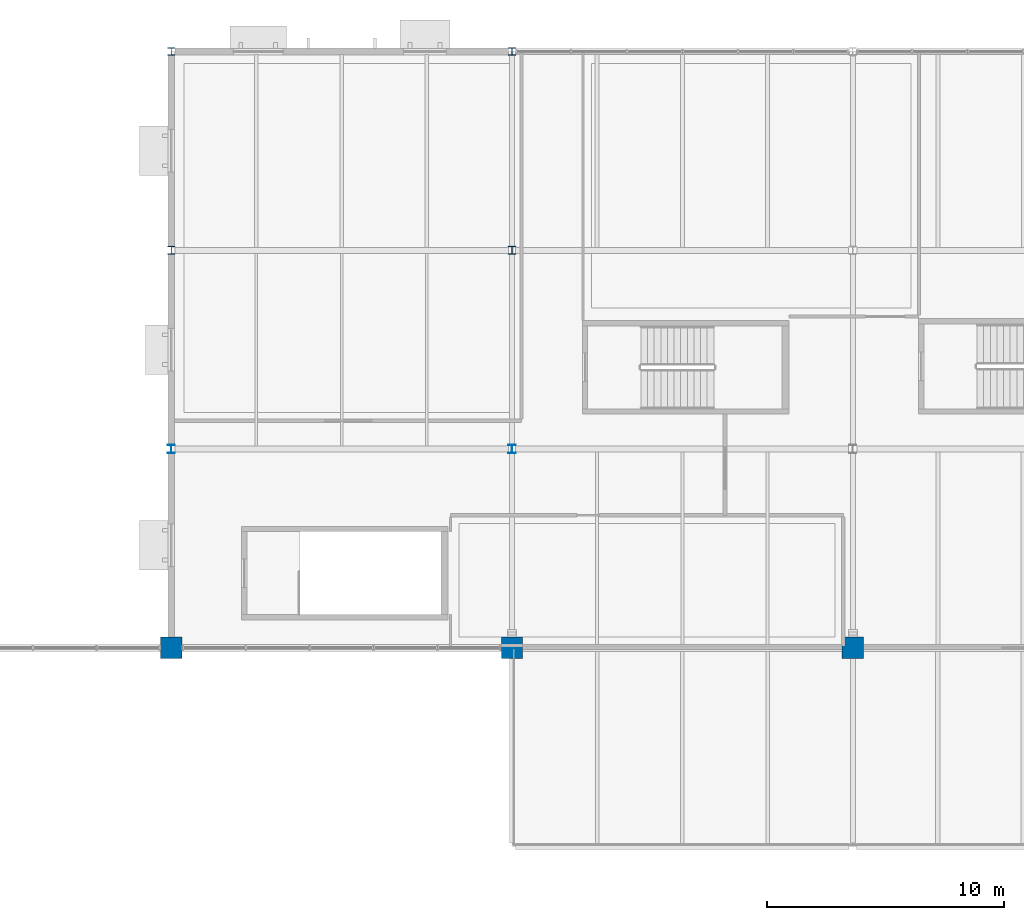
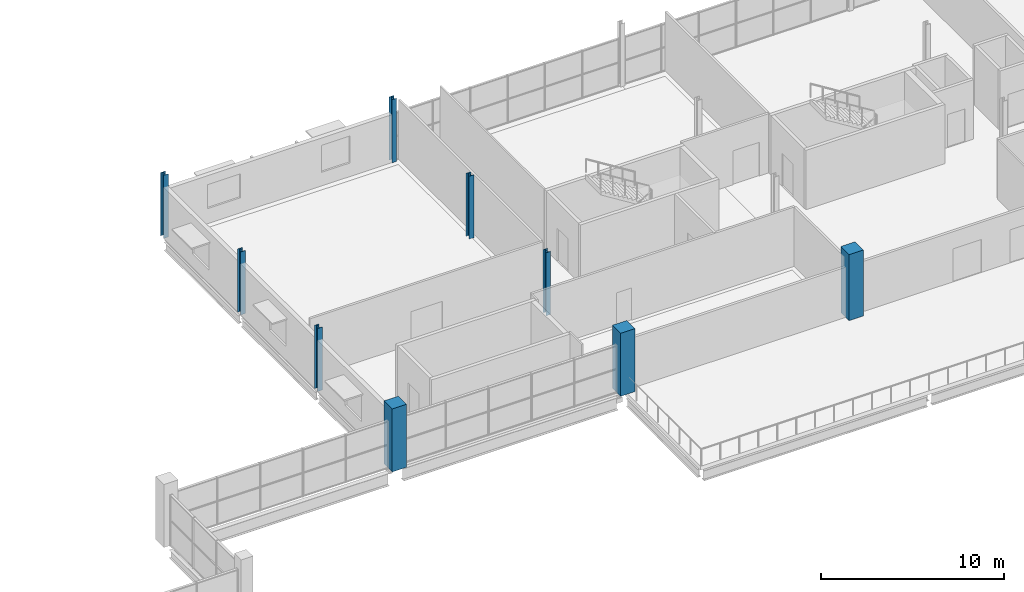
# One storey, part 5 of 93: 9 columns.
"""IFC4 building model written with IfcOpenShell, lengths in metres."""

from ifc_helpers import new_model, si_unit, direction, frame, origin, origin_2d, place, context, subcontext, project, spatial, rectangle, i_section, extrude, material, material_profile, profile_set, type_object, element, save


model = new_model("IFC4")

# Units and contexts
model_context = context("Model", 3, precision=1e-05, world=origin(), true_north=direction((0.0, 1.0)))
body_context = subcontext(model_context, "Body", "Model", "MODEL_VIEW")
ifc_project = project(units=[si_unit("LENGTHUNIT", "METRE"), si_unit("AREAUNIT", "SQUARE_METRE"), si_unit("VOLUMEUNIT", "CUBIC_METRE"), si_unit("PLANEANGLEUNIT", "RADIAN"), si_unit("MASSUNIT", "GRAM", prefix="KILO"), si_unit("THERMODYNAMICTEMPERATUREUNIT", "KELVIN")], contexts=[model_context])

# Site, building, storey
site_placement = place(None, origin())
site = spatial("IfcSite", under=ifc_project, at=site_placement, CompositionType="ELEMENT")
building_placement = place(site_placement, origin())
building = spatial("IfcBuilding", under=site, at=building_placement, Name="Nduvali Passage Aquatics Centre", CompositionType="ELEMENT")
storey_placement = place(building_placement, frame((0.0, 0.0, 9.0)))
storey = spatial("IfcBuildingStorey", under=building, at=storey_placement, Name="L02", CompositionType="ELEMENT", Elevation=9.0)

# Columns
ifc_material_1 = material(Name="Steel S355", Category="steel")
ifc_material_profile_1 = material_profile(ifc_material_1, i_section(OverallWidth=0.300048828125, OverallDepth=0.35009765625, WebThickness=0.010009765625, FlangeThickness=0.017578125, FilletRadius=0.027099609375, at=origin_2d()), Name="HEA 360")
ifc_profile_set_1 = profile_set([ifc_material_profile_1], Name="Steel S355")
column_type_1 = type_object("IfcColumnType", Name="STR-COL-HEA360", PredefinedType="COLUMN", material=ifc_profile_set_1)
column_1_placement = place(storey_placement, frame((54.0, 100.800048828125, 0.0), z_axis=(0.0, 0.0, 1.0), x_axis=(1.0, 0.0, 0.0)))
element("IfcColumn", 1, at=column_1_placement, inside=storey, type_object=column_type_1, Name="L02 Column C8A (54.0, 100.8)", PredefinedType="COLUMN", context=body_context, shape_type="SweptSolid", body=[
    extrude(i_section(OverallWidth=0.300048828125, OverallDepth=0.35009765625, WebThickness=0.010009765625, FlangeThickness=0.017578125, FilletRadius=0.027099609375, at=origin_2d()), origin(), (0.0, 0.0, 1.0), 4.199951171875),
])
ifc_material_profile_2 = material_profile(ifc_material_1, i_section(OverallWidth=0.300048828125, OverallDepth=0.35009765625, WebThickness=0.010009765625, FlangeThickness=0.017578125, FilletRadius=0.027099609375, at=origin_2d()), Name="HEA 360")
ifc_profile_set_2 = profile_set([ifc_material_profile_2], Name="Steel S355")
column_type_2 = type_object("IfcColumnType", Name="STR-COL-HEA360-EXT", PredefinedType="COLUMN", material=ifc_profile_set_2)
column_2_placement = place(storey_placement, frame((39.60009765625, 100.800048828125, 0.0), z_axis=(0.0, 0.0, 1.0), x_axis=(1.0, 0.0, 0.0)))
element("IfcColumn", 2, at=column_2_placement, inside=storey, type_object=column_type_2, Name="L02 Column C8AE (39.6, 100.8)", PredefinedType="COLUMN", context=body_context, shape_type="SweptSolid", body=[
    extrude(i_section(OverallWidth=0.300048828125, OverallDepth=0.35009765625, WebThickness=0.010009765625, FlangeThickness=0.017578125, FilletRadius=0.027099609375, at=origin_2d()), origin(), (0.0, 0.0, 1.0), 4.199951171875),
])
ifc_material_profile_3 = material_profile(ifc_material_1, i_section(OverallWidth=0.300048828125, OverallDepth=0.320068359375, WebThickness=0.011474609375, FlangeThickness=0.0205078125, FilletRadius=0.027099609375, at=origin_2d()), Name="HEB 320")
ifc_profile_set_3 = profile_set([ifc_material_profile_3], Name="Steel S355")
column_type_3 = type_object("IfcColumnType", Name="STR-COL-HEB320-EXT", PredefinedType="COLUMN", material=ifc_profile_set_3)
for number, where, z_axis, x_axis, name in (
    (3, (39.60009765625, 117.60009765625, 0.0), (0.0, 0.0, 1.0), (1.0, 0.0, 0.0), "L02 Column C7CE (39.6, 117.6)"),
    (4, (54.0, 117.60009765625, 0.0), (0.0, 0.0, 1.0), (1.0, 0.0, 0.0), "L02 Column C7CE (54.0, 117.6)"),
):
    element("IfcColumn", number, at=place(storey_placement, frame(where, z_axis=z_axis, x_axis=x_axis)), inside=storey, type_object=column_type_3, Name=name, PredefinedType="COLUMN", context=body_context, shape_type="SweptSolid", body=[
        extrude(i_section(OverallWidth=0.300048828125, OverallDepth=0.320068359375, WebThickness=0.011474609375, FlangeThickness=0.0205078125, FilletRadius=0.027099609375, at=origin_2d()), origin(), (0.0, 0.0, 1.0), 4.199951171875),
    ])
ifc_material_profile_4 = material_profile(ifc_material_1, i_section(OverallWidth=0.300048828125, OverallDepth=0.340087890625, WebThickness=0.011962890625, FlangeThickness=0.021484375, FilletRadius=0.027099609375, at=origin_2d()), Name="HEB 340")
ifc_profile_set_4 = profile_set([ifc_material_profile_4], Name="Steel S355")
column_type_4 = type_object("IfcColumnType", Name="STR-COL-HEB340", PredefinedType="COLUMN", material=ifc_profile_set_4)
column_3_placement = place(storey_placement, frame((54.0, 109.199951171875, 0.0), z_axis=(0.0, 0.0, 1.0), x_axis=(1.0, 0.0, 0.0)))
element("IfcColumn", 5, at=column_3_placement, inside=storey, type_object=column_type_4, Name="L02 Column C7 (54.0, 109.2)", PredefinedType="COLUMN", context=body_context, shape_type="SweptSolid", body=[
    extrude(i_section(OverallWidth=0.300048828125, OverallDepth=0.340087890625, WebThickness=0.011962890625, FlangeThickness=0.021484375, FilletRadius=0.027099609375, at=origin_2d()), origin(), (0.0, 0.0, 1.0), 4.199951171875),
])
ifc_material_profile_5 = material_profile(ifc_material_1, i_section(OverallWidth=0.300048828125, OverallDepth=0.340087890625, WebThickness=0.011962890625, FlangeThickness=0.021484375, FilletRadius=0.027099609375, at=origin_2d()), Name="HEB 340")
ifc_profile_set_5 = profile_set([ifc_material_profile_5], Name="Steel S355")
column_type_5 = type_object("IfcColumnType", Name="STR-COL-HEB340-EXT", PredefinedType="COLUMN", material=ifc_profile_set_5)
column_4_placement = place(storey_placement, frame((39.60009765625, 109.199951171875, 0.0), z_axis=(0.0, 0.0, 1.0), x_axis=(1.0, 0.0, 0.0)))
element("IfcColumn", 6, at=column_4_placement, inside=storey, type_object=column_type_5, Name="L02 Column C7E (39.6, 109.2)", PredefinedType="COLUMN", context=body_context, shape_type="SweptSolid", body=[
    extrude(i_section(OverallWidth=0.300048828125, OverallDepth=0.340087890625, WebThickness=0.011962890625, FlangeThickness=0.021484375, FilletRadius=0.027099609375, at=origin_2d()), origin(), (0.0, 0.0, 1.0), 4.199951171875),
])
ifc_material_2 = material(Name="Concrete C40/50", Category="concrete")
ifc_material_profile_6 = material_profile(ifc_material_2, rectangle(XDim=0.89990234375, YDim=0.89990234375, at=origin_2d()), Name="RC 900x900")
ifc_profile_set_6 = profile_set([ifc_material_profile_6], Name="Concrete C40/50")
column_type_6 = type_object("IfcColumnType", Name="STR-COL-RC900-EXT", PredefinedType="COLUMN", material=ifc_profile_set_6)
for number, where, z_axis, x_axis, name in (
    (7, (39.60009765625, 92.39990234375, 0.0), (0.0, 0.0, 1.0), (1.0, 0.0, 0.0), "L02 Column C1E (39.6, 92.4)"),
    (8, (54.0, 92.39990234375, 0.0), (0.0, 0.0, 1.0), (1.0, 0.0, 0.0), "L02 Column C1E (54.0, 92.4)"),
):
    element("IfcColumn", number, at=place(storey_placement, frame(where, z_axis=z_axis, x_axis=x_axis)), inside=storey, type_object=column_type_6, Name=name, PredefinedType="COLUMN", context=body_context, shape_type="SweptSolid", body=[
        extrude(rectangle(XDim=0.89990234375, YDim=0.89990234375, at=origin_2d()), origin(), (0.0, 0.0, 1.0), 4.199951171875),
    ])
column_5_placement = place(storey_placement, frame((68.39990234375, 92.39990234375, 0.0), z_axis=(0.0, 0.0, 1.0), x_axis=(1.0, 0.0, 0.0)))
element("IfcColumn", 9, at=column_5_placement, inside=storey, type_object=column_type_6, Name="L02 Column C1E (68.4, 92.4)", PredefinedType="COLUMN", context=body_context, shape_type="SweptSolid", body=[
    extrude(rectangle(XDim=0.89990234375, YDim=0.89990234375, at=origin_2d()), origin(), (0.0, 0.0, 1.0), 4.402587890625),
])

save(model, "model.ifc")
